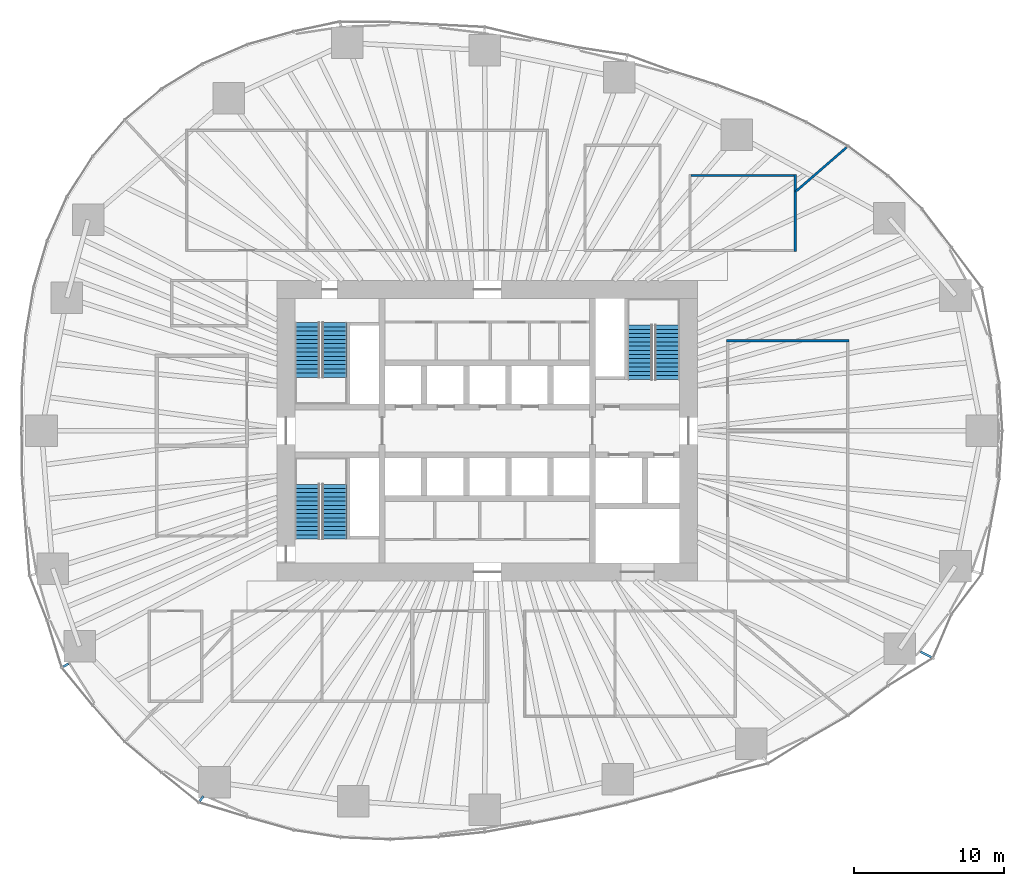
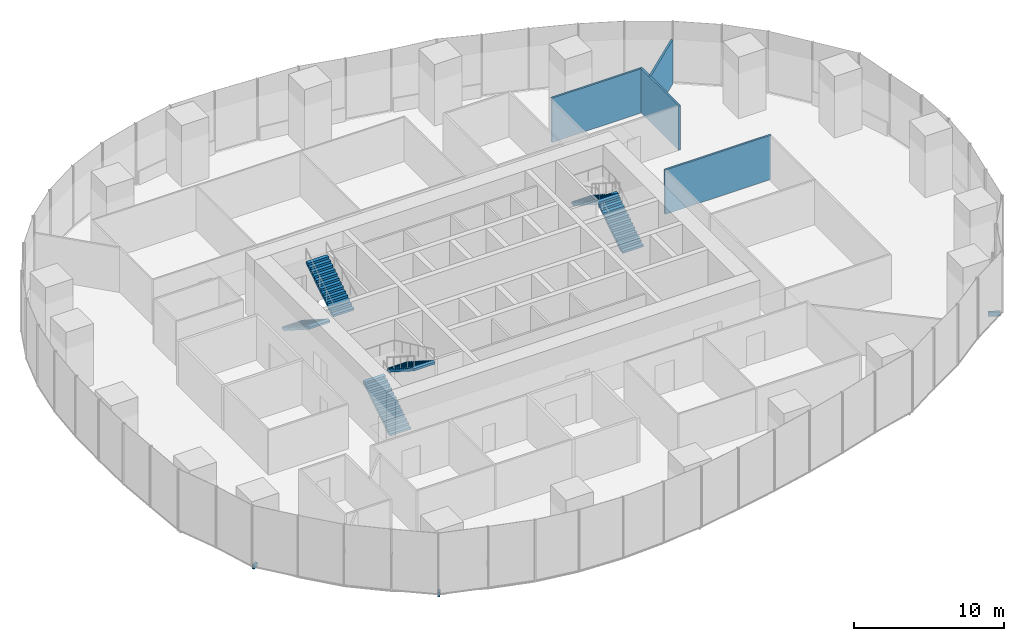
# One storey, part 12 of 20: 6 stair flights, 4 walls, 3 discrete accessories, 3 elements without a shape of their own.
"""IFC4 building model written with IfcOpenShell, lengths in metres."""

from ifc_helpers import new_model, si_unit, direction, frame, frame_2d, origin, origin_2d, place, context, subcontext, project, spatial, polyline, rectangle, outline, extrude, material, layer, layer_set, type_object, element, aggregate, save


model = new_model("IFC4")

# Units and contexts
model_context = context("Model", 3, precision=1e-05, world=origin(), true_north=direction((0.0, 1.0)))
body_context = subcontext(model_context, "Body", "Model", "MODEL_VIEW")
ifc_project = project(units=[si_unit("LENGTHUNIT", "METRE"), si_unit("AREAUNIT", "SQUARE_METRE"), si_unit("VOLUMEUNIT", "CUBIC_METRE"), si_unit("PLANEANGLEUNIT", "RADIAN"), si_unit("MASSUNIT", "GRAM", prefix="KILO")], contexts=[model_context])

# Site, building, storey
site_placement = place(None, origin())
site = spatial("IfcSite", under=ifc_project, at=site_placement, CompositionType="ELEMENT")
building_placement = place(site_placement, origin())
building = spatial("IfcBuilding", under=site, at=building_placement, Name="Ghaith Harvest Tower", CompositionType="ELEMENT")
storey_placement = place(building_placement, frame((0.0, 0.0, 35.0)))
storey = spatial("IfcBuildingStorey", under=building, at=storey_placement, Name="L07", CompositionType="ELEMENT", Elevation=35.0)

# Walls
ifc_material_1 = material(Name="Gypsum board on steel studs", Category="steel")
ifc_layer = layer(ifc_material_1, 0.14990234375)
ifc_layer_set = layer_set([ifc_layer], Name="PARTITION 150")
wall_type = type_object("IfcWallType", Name="PARTITION 150", PredefinedType="PARTITIONING", material=ifc_layer_set)
wall_1_placement = place(storey_placement, frame((15.925048828125, 6.0, 0.0), z_axis=(0.0, 0.0, 1.0), x_axis=(1.0, 0.0, 0.0)))
element("IfcWall", 1, at=wall_1_placement, inside=storey, type_object=wall_type, Name="Partition L07 row E3 cross wall 3", PredefinedType="PARTITIONING", context=body_context, shape_type="SweptSolid", body=[
    extrude(rectangle(XDim=8.14990234375, YDim=0.14990234375, at=frame_2d((4.074951171875, 0.0))), origin(), (0.0, 0.0, 1.0), 3.60009765625),
])
wall_2_placement = place(storey_placement, frame((20.5, 11.925048828125, 0.0), z_axis=(0.0, 0.0, 1.0), x_axis=(0.0, 1.0, 0.0)))
element("IfcWall", 2, at=wall_2_placement, inside=storey, type_object=wall_type, Name="Partition L07 row N7 cross wall 2", PredefinedType="PARTITIONING", context=body_context, shape_type="SweptSolid", body=[
    extrude(rectangle(XDim=5.14990234375, YDim=0.14990234375, at=frame_2d((2.574951171875, 0.0))), origin(), (0.0, 0.0, 1.0), 3.60009765625),
])
wall_3_placement = place(storey_placement, frame((13.574951171875, 17.0, 0.0), z_axis=(0.0, 0.0, 1.0), x_axis=(1.0, 0.0, 0.0)))
element("IfcWall", 3, at=wall_3_placement, inside=storey, type_object=wall_type, Name="Partition L07-14", PredefinedType="PARTITIONING", context=body_context, shape_type="SweptSolid", body=[
    extrude(rectangle(XDim=6.85009765625, YDim=0.14990234375, at=frame_2d((3.425048828125, 0.0))), origin(), (0.0, 0.0, 1.0), 3.60009765625),
])
wall_4_placement = place(storey_placement, frame((20.52001953125, 15.92041015625, 0.0), z_axis=(0.0, 0.0, 1.0), x_axis=(0.75543578361, 0.655222692557, 0.0)))
element("IfcWall", 4, at=wall_4_placement, inside=storey, type_object=wall_type, Name="Partition L07 zone division", PredefinedType="PARTITIONING", context=body_context, shape_type="SweptSolid", body=[
    extrude(rectangle(XDim=4.485107421875, YDim=0.14990234375, at=frame_2d((2.24267578125, 0.0))), origin(), (0.0, 0.0, 1.0), 3.60009765625),
])

# Stair, stair flights
ifc_material_2 = material(Name="Concrete C40/50, precast", Category="concrete")
stair_type = type_object("IfcStairType", Name="CORE STAIR 28R", PredefinedType="HALF_TURN_STAIR", material=ifc_material_2)
stair_1_placement = place(storey_placement, origin())
stair_1 = element("IfcStair", 5, at=stair_1_placement, inside=storey, type_object=stair_type, Name="Stair ST1 L07", PredefinedType="HALF_TURN_STAIR")
ifc_material_3 = material(Name="Concrete C40/50, precast", Category="concrete")
stair_flight_type = type_object("IfcStairFlightType", Name="CORE FLIGHT 14R 1600", PredefinedType="STRAIGHT", material=ifc_material_3)
stair_flight_1_placement = place(storey_placement, frame((-12.0, 7.199951171875, 0.0), z_axis=(0.0, 0.0, 1.0), x_axis=(0.0, -1.0, 0.0)))
stair_flight_1 = element("IfcStairFlight", 6, at=stair_flight_1_placement, type_object=stair_flight_type, Name="ST1 flight 1", NumberOfRisers=14, NumberOfTreads=13, PredefinedType="STRAIGHT", RiserHeight=0.178571429, TreadLength=0.28, context=body_context, shape_type="SweptSolid", body=[
    extrude(outline(polyline([(0.0, 0.0), (0.0, 0.178466796875), (0.280029296875, 0.178466796875), (0.280029296875, 0.357177734375), (0.56005859375, 0.357177734375), (0.56005859375, 0.53564453125), (0.840087890625, 0.53564453125), (0.840087890625, 0.71435546875), (1.1201171875, 0.71435546875), (1.1201171875, 0.892822265625), (1.39990234375, 0.892822265625), (1.39990234375, 1.071533203125), (1.679931640625, 1.071533203125), (1.679931640625, 1.25), (1.9599609375, 1.25), (1.9599609375, 1.428466796875), (2.239990234375, 1.428466796875), (2.239990234375, 1.607177734375), (2.52001953125, 1.607177734375), (2.52001953125, 1.78564453125), (2.800048828125, 1.78564453125), (2.800048828125, 1.96435546875), (3.080078125, 1.96435546875), (3.080078125, 2.142822265625), (3.360107421875, 2.142822265625), (3.360107421875, 2.321533203125), (3.639892578125, 2.321533203125), (3.639892578125, 2.5), (3.639892578125, 2.1435546875), (0.27880859375, 0.0), (0.0, 0.0)])), frame((0.0, 0.800048828125, 0.0), z_axis=(0.0, -1.0, 0.0), x_axis=(1.0, 0.0, 0.0)), (0.0, 0.0, 1.0), 1.60009765625),
])
stair_flight_2_placement = place(storey_placement, frame((-10.14990234375, 3.56005859375, 2.5), z_axis=(0.0, 0.0, 1.0), x_axis=(0.0, 1.0, 0.0)))
stair_flight_2 = element("IfcStairFlight", 7, at=stair_flight_2_placement, type_object=stair_flight_type, Name="ST1 flight 2", NumberOfRisers=14, NumberOfTreads=13, PredefinedType="STRAIGHT", RiserHeight=0.178571429, TreadLength=0.28, context=body_context, shape_type="SweptSolid", body=[
    extrude(outline(polyline([(0.0, 0.0), (0.0, 0.178466796875), (0.280029296875, 0.178466796875), (0.280029296875, 0.357177734375), (0.56005859375, 0.357177734375), (0.56005859375, 0.53564453125), (0.840087890625, 0.53564453125), (0.840087890625, 0.71435546875), (1.1201171875, 0.71435546875), (1.1201171875, 0.892822265625), (1.39990234375, 0.892822265625), (1.39990234375, 1.071533203125), (1.679931640625, 1.071533203125), (1.679931640625, 1.25), (1.9599609375, 1.25), (1.9599609375, 1.428466796875), (2.239990234375, 1.428466796875), (2.239990234375, 1.607177734375), (2.52001953125, 1.607177734375), (2.52001953125, 1.78564453125), (2.800048828125, 1.78564453125), (2.800048828125, 1.96435546875), (3.080078125, 1.96435546875), (3.080078125, 2.142822265625), (3.360107421875, 2.142822265625), (3.360107421875, 2.321533203125), (3.639892578125, 2.321533203125), (3.639892578125, 2.5), (3.639892578125, 2.1435546875), (0.27880859375, 0.0), (0.0, 0.0)])), frame((0.0, 0.800048828125, 0.0), z_axis=(0.0, -1.0, 0.0), x_axis=(1.0, 0.0, 0.0)), (0.0, 0.0, 1.0), 1.60009765625),
])
aggregate(stair_1, [stair_flight_1, stair_flight_2])

stair_2_placement = place(storey_placement, origin())
stair_2 = element("IfcStair", 8, at=stair_2_placement, inside=storey, type_object=stair_type, Name="Stair ST3 L07", PredefinedType="HALF_TURN_STAIR")
stair_flight_3_placement = place(storey_placement, frame((-12.0, -7.199951171875, 0.0), z_axis=(0.0, 0.0, 1.0), x_axis=(0.0, 1.0, 0.0)))
stair_flight_3 = element("IfcStairFlight", 9, at=stair_flight_3_placement, type_object=stair_flight_type, Name="ST3 flight 1", NumberOfRisers=14, NumberOfTreads=13, PredefinedType="STRAIGHT", RiserHeight=0.178571429, TreadLength=0.28, context=body_context, shape_type="SweptSolid", body=[
    extrude(outline(polyline([(0.0, 0.0), (0.0, 0.178466796875), (0.280029296875, 0.178466796875), (0.280029296875, 0.357177734375), (0.56005859375, 0.357177734375), (0.56005859375, 0.53564453125), (0.840087890625, 0.53564453125), (0.840087890625, 0.71435546875), (1.1201171875, 0.71435546875), (1.1201171875, 0.892822265625), (1.39990234375, 0.892822265625), (1.39990234375, 1.071533203125), (1.679931640625, 1.071533203125), (1.679931640625, 1.25), (1.9599609375, 1.25), (1.9599609375, 1.428466796875), (2.239990234375, 1.428466796875), (2.239990234375, 1.607177734375), (2.52001953125, 1.607177734375), (2.52001953125, 1.78564453125), (2.800048828125, 1.78564453125), (2.800048828125, 1.96435546875), (3.080078125, 1.96435546875), (3.080078125, 2.142822265625), (3.360107421875, 2.142822265625), (3.360107421875, 2.321533203125), (3.639892578125, 2.321533203125), (3.639892578125, 2.5), (3.639892578125, 2.1435546875), (0.27880859375, 0.0), (0.0, 0.0)])), frame((0.0, 0.800048828125, 0.0), z_axis=(0.0, -1.0, 0.0), x_axis=(1.0, 0.0, 0.0)), (0.0, 0.0, 1.0), 1.60009765625),
])
stair_flight_4_placement = place(storey_placement, frame((-10.14990234375, -3.56005859375, 2.5), z_axis=(0.0, 0.0, 1.0), x_axis=(0.0, -1.0, 0.0)))
stair_flight_4 = element("IfcStairFlight", 10, at=stair_flight_4_placement, type_object=stair_flight_type, Name="ST3 flight 2", NumberOfRisers=14, NumberOfTreads=13, PredefinedType="STRAIGHT", RiserHeight=0.178571429, TreadLength=0.28, context=body_context, shape_type="SweptSolid", body=[
    extrude(outline(polyline([(0.0, 0.0), (0.0, 0.178466796875), (0.280029296875, 0.178466796875), (0.280029296875, 0.357177734375), (0.56005859375, 0.357177734375), (0.56005859375, 0.53564453125), (0.840087890625, 0.53564453125), (0.840087890625, 0.71435546875), (1.1201171875, 0.71435546875), (1.1201171875, 0.892822265625), (1.39990234375, 0.892822265625), (1.39990234375, 1.071533203125), (1.679931640625, 1.071533203125), (1.679931640625, 1.25), (1.9599609375, 1.25), (1.9599609375, 1.428466796875), (2.239990234375, 1.428466796875), (2.239990234375, 1.607177734375), (2.52001953125, 1.607177734375), (2.52001953125, 1.78564453125), (2.800048828125, 1.78564453125), (2.800048828125, 1.96435546875), (3.080078125, 1.96435546875), (3.080078125, 2.142822265625), (3.360107421875, 2.142822265625), (3.360107421875, 2.321533203125), (3.639892578125, 2.321533203125), (3.639892578125, 2.5), (3.639892578125, 2.1435546875), (0.27880859375, 0.0), (0.0, 0.0)])), frame((0.0, 0.800048828125, 0.0), z_axis=(0.0, -1.0, 0.0), x_axis=(1.0, 0.0, 0.0)), (0.0, 0.0, 1.0), 1.60009765625),
])
aggregate(stair_2, [stair_flight_3, stair_flight_4])

stair_3_placement = place(storey_placement, origin())
stair_3 = element("IfcStair", 11, at=stair_3_placement, inside=storey, type_object=stair_type, Name="Stair ST2 L07", PredefinedType="HALF_TURN_STAIR")
stair_flight_5_placement = place(storey_placement, frame((12.0, 3.39990234375, 0.0), z_axis=(0.0, 0.0, 1.0), x_axis=(0.0, 1.0, 0.0)))
stair_flight_5 = element("IfcStairFlight", 12, at=stair_flight_5_placement, type_object=stair_flight_type, Name="ST2 flight 1", NumberOfRisers=14, NumberOfTreads=13, PredefinedType="STRAIGHT", RiserHeight=0.178571429, TreadLength=0.28, context=body_context, shape_type="SweptSolid", body=[
    extrude(outline(polyline([(0.0, 0.0), (0.0, 0.178466796875), (0.280029296875, 0.178466796875), (0.280029296875, 0.357177734375), (0.56005859375, 0.357177734375), (0.56005859375, 0.53564453125), (0.840087890625, 0.53564453125), (0.840087890625, 0.71435546875), (1.1201171875, 0.71435546875), (1.1201171875, 0.892822265625), (1.39990234375, 0.892822265625), (1.39990234375, 1.071533203125), (1.679931640625, 1.071533203125), (1.679931640625, 1.25), (1.9599609375, 1.25), (1.9599609375, 1.428466796875), (2.239990234375, 1.428466796875), (2.239990234375, 1.607177734375), (2.52001953125, 1.607177734375), (2.52001953125, 1.78564453125), (2.800048828125, 1.78564453125), (2.800048828125, 1.96435546875), (3.080078125, 1.96435546875), (3.080078125, 2.142822265625), (3.360107421875, 2.142822265625), (3.360107421875, 2.321533203125), (3.639892578125, 2.321533203125), (3.639892578125, 2.5), (3.639892578125, 2.1435546875), (0.27880859375, 0.0), (0.0, 0.0)])), frame((0.0, 0.800048828125, 0.0), z_axis=(0.0, -1.0, 0.0), x_axis=(1.0, 0.0, 0.0)), (0.0, 0.0, 1.0), 1.60009765625),
])
stair_flight_6_placement = place(storey_placement, frame((10.14990234375, 7.0400390625, 2.5), z_axis=(0.0, 0.0, 1.0), x_axis=(0.0, -1.0, 0.0)))
stair_flight_6 = element("IfcStairFlight", 13, at=stair_flight_6_placement, type_object=stair_flight_type, Name="ST2 flight 2", NumberOfRisers=14, NumberOfTreads=13, PredefinedType="STRAIGHT", RiserHeight=0.178571429, TreadLength=0.28, context=body_context, shape_type="SweptSolid", body=[
    extrude(outline(polyline([(0.0, 0.0), (0.0, 0.178466796875), (0.280029296875, 0.178466796875), (0.280029296875, 0.357177734375), (0.56005859375, 0.357177734375), (0.56005859375, 0.53564453125), (0.840087890625, 0.53564453125), (0.840087890625, 0.71435546875), (1.1201171875, 0.71435546875), (1.1201171875, 0.892822265625), (1.39990234375, 0.892822265625), (1.39990234375, 1.071533203125), (1.679931640625, 1.071533203125), (1.679931640625, 1.25), (1.9599609375, 1.25), (1.9599609375, 1.428466796875), (2.239990234375, 1.428466796875), (2.239990234375, 1.607177734375), (2.52001953125, 1.607177734375), (2.52001953125, 1.78564453125), (2.800048828125, 1.78564453125), (2.800048828125, 1.96435546875), (3.080078125, 1.96435546875), (3.080078125, 2.142822265625), (3.360107421875, 2.142822265625), (3.360107421875, 2.321533203125), (3.639892578125, 2.321533203125), (3.639892578125, 2.5), (3.639892578125, 2.1435546875), (0.27880859375, 0.0), (0.0, 0.0)])), frame((0.0, 0.800048828125, 0.0), z_axis=(0.0, -1.0, 0.0), x_axis=(1.0, 0.0, 0.0)), (0.0, 0.0, 1.0), 1.60009765625),
])
aggregate(stair_3, [stair_flight_5, stair_flight_6])

# Discrete accessories
ifc_material_4 = material(Name="Stainless steel grade 1.4401", Category="steel")
discrete_accessory_type_1 = type_object("IfcDiscreteAccessoryType", Name="CURTAIN WALL BRACKET 415", PredefinedType="BRACKET", material=ifc_material_4)
discrete_accessory_1_placement = place(storey_placement, frame((-28.05859375, -15.60546875, -0.25), z_axis=(0.0, 0.0, 1.0), x_axis=(-0.873926916099, -0.486057347767, 0.0)))
element("IfcDiscreteAccessory", 14, at=discrete_accessory_1_placement, inside=storey, type_object=discrete_accessory_type_1, Name="CW-F bracket 3 bay 12 L07", PredefinedType="BRACKET", context=body_context, shape_type="SweptSolid", body=[
    extrude(rectangle(XDim=0.4150390625, YDim=0.14990234375, at=origin_2d()), origin(), (0.0, 0.0, 1.0), 0.35009765625),
])
ifc_material_5 = material(Name="Stainless steel grade 1.4401", Category="steel")
discrete_accessory_type_2 = type_object("IfcDiscreteAccessoryType", Name="CURTAIN WALL BRACKET 425", PredefinedType="BRACKET", material=ifc_material_5)
discrete_accessory_2_placement = place(storey_placement, frame((-19.02099609375, -24.491455078125, -0.25), z_axis=(0.0, 0.0, 1.0), x_axis=(-0.613377713774, -0.789789706343, 0.0)))
element("IfcDiscreteAccessory", 15, at=discrete_accessory_2_placement, inside=storey, type_object=discrete_accessory_type_2, Name="CW-F bracket 1 bay 14 L07", PredefinedType="BRACKET", context=body_context, shape_type="SweptSolid", body=[
    extrude(rectangle(XDim=0.425048828125, YDim=0.14990234375, at=origin_2d()), origin(), (0.0, 0.0, 1.0), 0.35009765625),
])
ifc_material_6 = material(Name="Stainless steel grade 1.4401", Category="steel")
discrete_accessory_type_3 = type_object("IfcDiscreteAccessoryType", Name="CURTAIN WALL BRACKET 825", PredefinedType="BRACKET", material=ifc_material_6)
discrete_accessory_3_placement = place(storey_placement, frame((29.203125, -14.89404296875, -0.25), z_axis=(0.0, 0.0, 1.0), x_axis=(0.890830752177, -0.454335306767, 0.0)))
element("IfcDiscreteAccessory", 16, at=discrete_accessory_3_placement, inside=storey, type_object=discrete_accessory_type_3, Name="CW-F bracket 2 bay 19 L07", PredefinedType="BRACKET", context=body_context, shape_type="SweptSolid", body=[
    extrude(rectangle(XDim=0.824951171875, YDim=0.14990234375, at=origin_2d()), origin(), (0.0, 0.0, 1.0), 0.35009765625),
])

save(model, "model.ifc")
